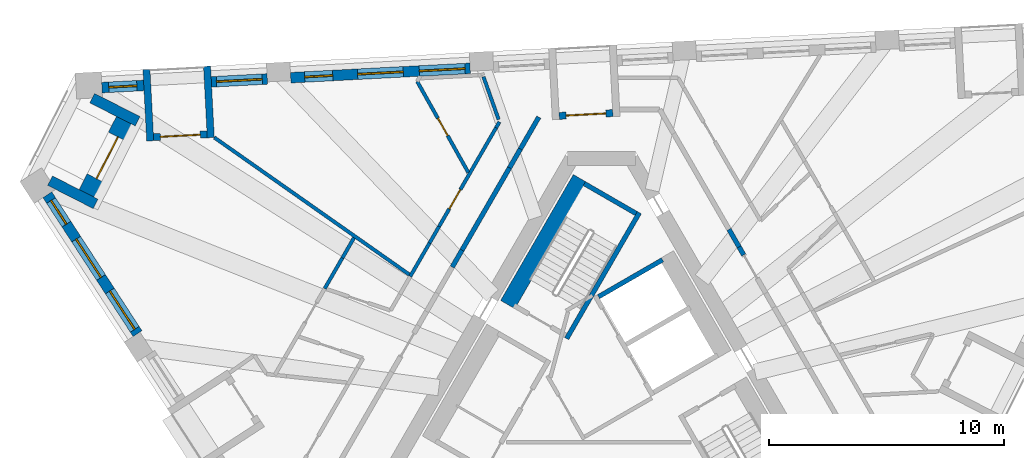
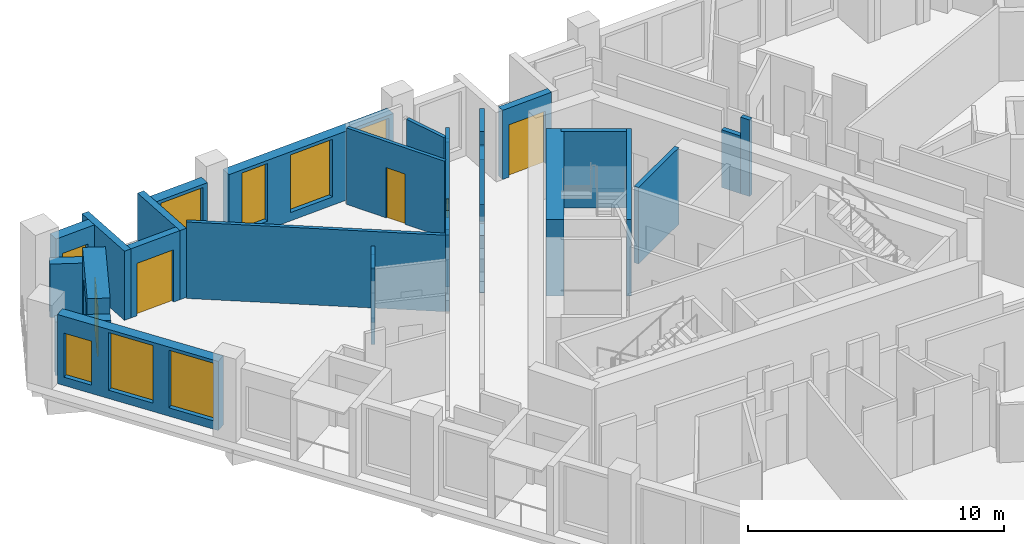
# One storey, part 7 of 13: 30 walls, 8 windows, 5 doors, 13 openings.
"""IFC4 building model written with IfcOpenShell, lengths in metres."""

from ifc_helpers import new_model, si_unit, direction, frame, frame_2d, origin, place, context, subcontext, project, spatial, rectangle, extrude, material, layer, layer_set, type_object, element, fill, save


model = new_model("IFC4")

# Units and contexts
model_context = context("Model", 3, precision=1e-05, world=origin(), true_north=direction((0.0, 1.0)))
body_context = subcontext(model_context, "Body", "Model", "MODEL_VIEW")
ifc_project = project(units=[si_unit("LENGTHUNIT", "METRE"), si_unit("AREAUNIT", "SQUARE_METRE"), si_unit("VOLUMEUNIT", "CUBIC_METRE"), si_unit("PLANEANGLEUNIT", "RADIAN"), si_unit("MASSUNIT", "GRAM", prefix="KILO")], contexts=[model_context])

# Site, building, storey
site_placement = place(None, origin())
site = spatial("IfcSite", under=ifc_project, at=site_placement, CompositionType="ELEMENT")
building_placement = place(site_placement, origin())
building = spatial("IfcBuilding", under=site, at=building_placement, Name="Tramontana Tower", CompositionType="ELEMENT")
storey_placement = place(building_placement, frame((0.0, 0.0, 290.39990234375)))
storey = spatial("IfcBuildingStorey", under=building, at=storey_placement, Name="L68", CompositionType="ELEMENT", Elevation=290.39990234375)

# Walls
ifc_material_1 = material(Name="Blockwork", Category="masonry")
ifc_layer_1 = layer(ifc_material_1, 0.199951171875)
ifc_layer_set_1 = layer_set([ifc_layer_1], Name="ENTRY WALL 200")
wall_type_1 = type_object("IfcWallType", Name="ENTRY WALL 200", PredefinedType="SOLIDWALL", material=ifc_layer_set_1)
wall_1_placement = place(storey_placement, frame((-6.36328125, 6.07861328125, 0.0), z_axis=(0.0, 0.0, 1.0), x_axis=(0.499950631041, 0.86605390509, 0.0)))
element("IfcWall", 1, at=wall_1_placement, inside=storey, type_object=wall_type_1, Name="Wall v71-ew3-8", PredefinedType="SOLIDWALL", context=body_context, shape_type="SweptSolid", body=[
    extrude(rectangle(XDim=0.83349609375, YDim=0.199951171875, at=frame_2d((0.416748046875, 0.0))), origin(), (0.0, 0.0, 1.0), 2.75),
])
wall_2_placement = place(storey_placement, frame((-5.946533203125, 6.800537109375, 0.0), z_axis=(0.0, 0.0, 1.0), x_axis=(0.500007556608, 0.866021040931, 0.0)))
element("IfcWall", 2, at=wall_2_placement, inside=storey, type_object=wall_type_1, Name="Wall v71-ew3-9", PredefinedType="SOLIDWALL", context=body_context, shape_type="SweptSolid", body=[
    extrude(rectangle(XDim=4.05224609375, YDim=0.199951171875, at=frame_2d((2.026123046875, 0.0))), origin(), (0.0, 0.0, 1.0), 3.650146484375),
])
wall_3_placement = place(storey_placement, frame((-3.92041015625, 10.309814453125, 0.0), z_axis=(0.0, 0.0, 1.0), x_axis=(0.500102178127, 0.865966403178, 0.0)))
element("IfcWall", 3, at=wall_3_placement, inside=storey, type_object=wall_type_1, Name="Wall v71-ew3-10", PredefinedType="SOLIDWALL", context=body_context, shape_type="SweptSolid", body=[
    extrude(rectangle(XDim=0.927490234375, YDim=0.199951171875, at=frame_2d((0.4638671875, 0.0))), origin(), (0.0, 0.0, 1.0), 2.9501953125),
])
wall_4_placement = place(storey_placement, frame((-3.45654296875, 11.113037109375, 0.0), z_axis=(0.0, 0.0, 1.0), x_axis=(0.500036592568, 0.866004276025, 0.0)))
element("IfcWall", 4, at=wall_4_placement, inside=storey, type_object=wall_type_1, Name="Wall v71-ew3-11", PredefinedType="SOLIDWALL", context=body_context, shape_type="SweptSolid", body=[
    extrude(rectangle(XDim=1.56982421875, YDim=0.199951171875, at=frame_2d((0.784912109375, 0.0))), origin(), (0.0, 0.0, 1.0), 3.650146484375),
])
wall_5_placement = place(storey_placement, frame((5.435546875, 7.685546875, 0.0), z_axis=(0.0, 0.0, 1.0), x_axis=(0.500056482814, -0.86599279096, 0.0)))
element("IfcWall", 5, at=wall_5_placement, inside=storey, type_object=wall_type_1, Name="Wall v71-ew5-2", PredefinedType="SOLIDWALL", context=body_context, shape_type="SweptSolid", body=[
    extrude(rectangle(XDim=0.86474609375, YDim=0.199951171875, at=frame_2d((0.432373046875, 0.0))), origin(), (0.0, 0.0, 1.0), 2.75),
])
wall_6_placement = place(storey_placement, frame((5.867919921875, 6.936767578125, 0.0), z_axis=(0.0, 0.0, 1.0), x_axis=(0.499526442893, -0.866298639529, 0.0)))
element("IfcWall", 6, at=wall_6_placement, inside=storey, type_object=wall_type_1, Name="Wall v71-ew5-3", PredefinedType="SOLIDWALL", context=body_context, shape_type="SweptSolid", body=[
    extrude(rectangle(XDim=0.3955078125, YDim=0.199951171875, at=frame_2d((0.19775390625, 0.0))), origin(), (0.0, 0.0, 1.0), 3.650146484375),
])

# Wall, openings, windows
ifc_material_2 = material(Name="Precast concrete 60 MPa", Category="concrete")
ifc_layer_2 = layer(ifc_material_2, 0.449951171875)
ifc_layer_set_2 = layer_set([ifc_layer_2], Name="Precast concrete 60 MPa, 450 mm")
wall_type_2 = type_object("IfcWallType", Name="EW1 Stone-faced precast wall 450", PredefinedType="SOLIDWALL", material=ifc_layer_set_2)
wall_7_placement = place(storey_placement, frame((-23.6259765625, 9.160888671875, 0.0), z_axis=(0.0, 0.0, 1.0), x_axis=(0.54463703186, -0.838671868806, 0.0)))
wall_7 = element("IfcWall", 7, at=wall_7_placement, inside=storey, type_object=wall_type_2, Name="External wall L68 face 0 bay 1", PredefinedType="SOLIDWALL", context=body_context, shape_type="SweptSolid", body=[
    extrude(rectangle(XDim=7.06005859375, YDim=0.449951171875, at=frame_2d((3.530029296875, 0.0))), origin(), (0.0, 0.0, 1.0), 3.300048828125),
])
opening_1_placement = place(wall_7_placement, frame((0.29345703125, 0.0, 0.39990234375)))
opening_1 = element("IfcOpeningElement", 8, at=opening_1_placement, cuts=wall_7, Name="Opening N3L", PredefinedType="OPENING", context=body_context, shape_type="SweptSolid", body=[
    extrude(rectangle(XDim=1.199951171875, YDim=2.10009765625, at=frame_2d((0.60009765625, 1.050048828125))), frame((0.0, 0.23486328125, 0.0), z_axis=(0.0, -1.0, 0.0), x_axis=(1.0, 0.0, 0.0)), (0.0, 0.0, 1.0), 0.469970703125),
])
opening_2_placement = place(wall_7_placement, frame((2.255126953125, 0.0, 0.39990234375)))
opening_2 = element("IfcOpeningElement", 9, at=opening_2_placement, cuts=wall_7, Name="Opening M3", PredefinedType="OPENING", context=body_context, shape_type="SweptSolid", body=[
    extrude(rectangle(XDim=1.949951171875, YDim=2.75, at=frame_2d((0.97509765625, 1.375))), frame((0.0, 0.23486328125, 0.0), z_axis=(0.0, -1.0, 0.0), x_axis=(1.0, 0.0, 0.0)), (0.0, 0.0, 1.0), 0.469970703125),
])
opening_3_placement = place(wall_7_placement, frame((4.891845703125, 0.0, 0.39990234375)))
opening_3 = element("IfcOpeningElement", 10, at=opening_3_placement, cuts=wall_7, Name="Opening M3", PredefinedType="OPENING", context=body_context, shape_type="SweptSolid", body=[
    extrude(rectangle(XDim=1.949951171875, YDim=2.75, at=frame_2d((0.97509765625, 1.375))), frame((0.0, 0.23486328125, 0.0), z_axis=(0.0, -1.0, 0.0), x_axis=(1.0, 0.0, 0.0)), (0.0, 0.0, 1.0), 0.469970703125),
])
ifc_material_3 = material(Name="Aluminum frame, double glazing unit", Category="aluminium")
window_type_1 = type_object("IfcWindowType", Name="M3 Window 1.95 x 2.75", PartitioningType="SINGLE_PANEL", PredefinedType="WINDOW", material=ifc_material_3)
window_1_placement = place(opening_2_placement, origin())
window_1 = element("IfcWindow", 11, at=window_1_placement, inside=storey, type_object=window_type_1, Name="Window M3 L68 face 0 module 2", OverallHeight=2.75, OverallWidth=1.949951171875, PartitioningType="SINGLE_PANEL", PredefinedType="WINDOW", context=body_context, shape_type="SweptSolid", body=[
    extrude(rectangle(XDim=1.949951171875, YDim=2.75, at=frame_2d((0.97509765625, 1.375))), frame((0.0, 0.030029296875, 0.0), z_axis=(0.0, -1.0, 0.0), x_axis=(1.0, 0.0, 0.0)), (0.0, 0.0, 1.0), 0.06005859375),
])
fill(opening_2, window_1)
window_2_placement = place(opening_3_placement, origin())
window_2 = element("IfcWindow", 12, at=window_2_placement, inside=storey, type_object=window_type_1, Name="Window M3 L68 face 0 module 3", OverallHeight=2.75, OverallWidth=1.949951171875, PartitioningType="SINGLE_PANEL", PredefinedType="WINDOW", context=body_context, shape_type="SweptSolid", body=[
    extrude(rectangle(XDim=1.949951171875, YDim=2.75, at=frame_2d((0.97509765625, 1.375))), frame((0.0, 0.030029296875, 0.0), z_axis=(0.0, -1.0, 0.0), x_axis=(1.0, 0.0, 0.0)), (0.0, 0.0, 1.0), 0.06005859375),
])
fill(opening_3, window_2)
ifc_material_4 = material(Name="Aluminum frame, double glazing unit", Category="aluminium")
window_type_2 = type_object("IfcWindowType", Name="N3L Window 1.2 x 2.1", PartitioningType="SINGLE_PANEL", PredefinedType="WINDOW", material=ifc_material_4)
window_3_placement = place(opening_1_placement, origin())
window_3 = element("IfcWindow", 13, at=window_3_placement, inside=storey, type_object=window_type_2, Name="Window N3L L68 face 0 module 1", OverallHeight=2.10009765625, OverallWidth=1.199951171875, PartitioningType="SINGLE_PANEL", PredefinedType="WINDOW", context=body_context, shape_type="SweptSolid", body=[
    extrude(rectangle(XDim=1.199951171875, YDim=2.10009765625, at=frame_2d((0.60009765625, 1.050048828125))), frame((0.0, 0.030029296875, 0.0), z_axis=(0.0, -1.0, 0.0), x_axis=(1.0, 0.0, 0.0)), (0.0, 0.0, 1.0), 0.06005859375),
])
fill(opening_1, window_3)

wall_8_placement = place(storey_placement, frame((-5.599365234375, 14.552001953125, 0.0), z_axis=(0.0, 0.0, 1.0), x_axis=(-0.998628023429, -0.052364786088, 0.0)))
wall_8 = element("IfcWall", 14, at=wall_8_placement, inside=storey, type_object=wall_type_2, Name="External wall L68 face 2 bay 4", PredefinedType="SOLIDWALL", context=body_context, shape_type="SweptSolid", body=[
    extrude(rectangle(XDim=7.66015625, YDim=0.449951171875, at=frame_2d((3.830078125, 0.0))), origin(), (0.0, 0.0, 1.0), 3.300048828125),
])
opening_4_placement = place(wall_8_placement, frame((0.21826171875, 0.0, 0.39990234375)))
opening_4 = element("IfcOpeningElement", 15, at=opening_4_placement, cuts=wall_8, Name="Opening M3", PredefinedType="OPENING", context=body_context, shape_type="SweptSolid", body=[
    extrude(rectangle(XDim=1.949951171875, YDim=2.75, at=frame_2d((0.97509765625, 1.375))), frame((0.0, 0.23486328125, 0.0), z_axis=(0.0, -1.0, 0.0), x_axis=(1.0, 0.0, 0.0)), (0.0, 0.0, 1.0), 0.469970703125),
])
opening_5_placement = place(wall_8_placement, frame((2.855224609375, 0.0, 0.39990234375)))
opening_5 = element("IfcOpeningElement", 16, at=opening_5_placement, cuts=wall_8, Name="Opening M3", PredefinedType="OPENING", context=body_context, shape_type="SweptSolid", body=[
    extrude(rectangle(XDim=1.949951171875, YDim=2.75, at=frame_2d((0.97509765625, 1.375))), frame((0.0, 0.23486328125, 0.0), z_axis=(0.0, -1.0, 0.0), x_axis=(1.0, 0.0, 0.0)), (0.0, 0.0, 1.0), 0.469970703125),
])
opening_6_placement = place(wall_8_placement, frame((5.866943359375, 0.0, 0.39990234375)))
opening_6 = element("IfcOpeningElement", 17, at=opening_6_placement, cuts=wall_8, Name="Opening N3", PredefinedType="OPENING", context=body_context, shape_type="SweptSolid", body=[
    extrude(rectangle(XDim=1.199951171875, YDim=2.75, at=frame_2d((0.60009765625, 1.375))), frame((0.0, 0.23486328125, 0.0), z_axis=(0.0, -1.0, 0.0), x_axis=(1.0, 0.0, 0.0)), (0.0, 0.0, 1.0), 0.469970703125),
])
window_4_placement = place(opening_4_placement, origin())
window_4 = element("IfcWindow", 18, at=window_4_placement, inside=storey, type_object=window_type_1, Name="Window M3 L68 face 2 module 10", OverallHeight=2.75, OverallWidth=1.949951171875, PartitioningType="SINGLE_PANEL", PredefinedType="WINDOW", context=body_context, shape_type="SweptSolid", body=[
    extrude(rectangle(XDim=1.949951171875, YDim=2.75, at=frame_2d((0.97509765625, 1.375))), frame((0.0, 0.030029296875, 0.0), z_axis=(0.0, -1.0, 0.0), x_axis=(1.0, 0.0, 0.0)), (0.0, 0.0, 1.0), 0.06005859375),
])
fill(opening_4, window_4)
window_5_placement = place(opening_5_placement, origin())
window_5 = element("IfcWindow", 19, at=window_5_placement, inside=storey, type_object=window_type_1, Name="Window M3 L68 face 2 module 11", OverallHeight=2.75, OverallWidth=1.949951171875, PartitioningType="SINGLE_PANEL", PredefinedType="WINDOW", context=body_context, shape_type="SweptSolid", body=[
    extrude(rectangle(XDim=1.949951171875, YDim=2.75, at=frame_2d((0.97509765625, 1.375))), frame((0.0, 0.030029296875, 0.0), z_axis=(0.0, -1.0, 0.0), x_axis=(1.0, 0.0, 0.0)), (0.0, 0.0, 1.0), 0.06005859375),
])
fill(opening_5, window_5)
ifc_material_5 = material(Name="Aluminum frame, double glazing unit", Category="aluminium")
window_type_3 = type_object("IfcWindowType", Name="N3 Window 1.2 x 2.75", PartitioningType="SINGLE_PANEL", PredefinedType="WINDOW", material=ifc_material_5)
window_6_placement = place(opening_6_placement, origin())
window_6 = element("IfcWindow", 20, at=window_6_placement, inside=storey, type_object=window_type_3, Name="Window N3 L68 face 2 module 12", OverallHeight=2.75, OverallWidth=1.199951171875, PartitioningType="SINGLE_PANEL", PredefinedType="WINDOW", context=body_context, shape_type="SweptSolid", body=[
    extrude(rectangle(XDim=1.199951171875, YDim=2.75, at=frame_2d((0.60009765625, 1.375))), frame((0.0, 0.030029296875, 0.0), z_axis=(0.0, -1.0, 0.0), x_axis=(1.0, 0.0, 0.0)), (0.0, 0.0, 1.0), 0.06005859375),
])
fill(opening_6, window_6)

# Wall, opening, window
wall_9_placement = place(storey_placement, frame((-14.247802734375, 14.0986328125, 0.0), z_axis=(0.0, 0.0, 1.0), x_axis=(-0.998627701279, -0.052370929331, 0.0)))
wall_9 = element("IfcWall", 21, at=wall_9_placement, inside=storey, type_object=wall_type_2, Name="External wall L68 face 2 bay 5", PredefinedType="SOLIDWALL", context=body_context, shape_type="SweptSolid", body=[
    extrude(rectangle(XDim=2.38671875, YDim=0.449951171875, at=frame_2d((1.193359375, 0.0))), origin(), (0.0, 0.0, 1.0), 3.300048828125),
])
opening_7_placement = place(wall_9_placement, frame((0.21826171875, 0.0, 0.39990234375)))
opening_7 = element("IfcOpeningElement", 22, at=opening_7_placement, cuts=wall_9, Name="Opening M3", PredefinedType="OPENING", context=body_context, shape_type="SweptSolid", body=[
    extrude(rectangle(XDim=1.949951171875, YDim=2.75, at=frame_2d((0.97509765625, 1.375))), frame((0.0, 0.23486328125, 0.0), z_axis=(0.0, -1.0, 0.0), x_axis=(1.0, 0.0, 0.0)), (0.0, 0.0, 1.0), 0.469970703125),
])
window_7_placement = place(opening_7_placement, origin())
window_7 = element("IfcWindow", 23, at=window_7_placement, inside=storey, type_object=window_type_1, Name="Window M3 L68 face 2 module 13", OverallHeight=2.75, OverallWidth=1.949951171875, PartitioningType="SINGLE_PANEL", PredefinedType="WINDOW", context=body_context, shape_type="SweptSolid", body=[
    extrude(rectangle(XDim=1.949951171875, YDim=2.75, at=frame_2d((0.97509765625, 1.375))), frame((0.0, 0.030029296875, 0.0), z_axis=(0.0, -1.0, 0.0), x_axis=(1.0, 0.0, 0.0)), (0.0, 0.0, 1.0), 0.06005859375),
])
fill(opening_7, window_7)

wall_10_placement = place(storey_placement, frame((-19.51416015625, 13.82275390625, 0.0), z_axis=(0.0, 0.0, 1.0), x_axis=(-0.998629506551, -0.052336494391, 0.0)))
wall_10 = element("IfcWall", 24, at=wall_10_placement, inside=storey, type_object=wall_type_2, Name="External wall L68 face 2 bay 5", PredefinedType="SOLIDWALL", context=body_context, shape_type="SweptSolid", body=[
    extrude(rectangle(XDim=1.78662109375, YDim=0.449951171875, at=frame_2d((0.893310546875, 0.0))), origin(), (0.0, 0.0, 1.0), 3.300048828125),
])
opening_8_placement = place(wall_10_placement, frame((0.29345703125, 0.0, 0.39990234375)))
opening_8 = element("IfcOpeningElement", 25, at=opening_8_placement, cuts=wall_10, Name="Opening N3L", PredefinedType="OPENING", context=body_context, shape_type="SweptSolid", body=[
    extrude(rectangle(XDim=1.199951171875, YDim=2.10009765625, at=frame_2d((0.60009765625, 1.050048828125))), frame((0.0, 0.23486328125, 0.0), z_axis=(0.0, -1.0, 0.0), x_axis=(1.0, 0.0, 0.0)), (0.0, 0.0, 1.0), 0.469970703125),
])
window_8_placement = place(opening_8_placement, origin())
window_8 = element("IfcWindow", 26, at=window_8_placement, inside=storey, type_object=window_type_2, Name="Window N3L L68 face 2 module 15", OverallHeight=2.10009765625, OverallWidth=1.199951171875, PartitioningType="SINGLE_PANEL", PredefinedType="WINDOW", context=body_context, shape_type="SweptSolid", body=[
    extrude(rectangle(XDim=1.199951171875, YDim=2.10009765625, at=frame_2d((0.60009765625, 1.050048828125))), frame((0.0, 0.030029296875, 0.0), z_axis=(0.0, -1.0, 0.0), x_axis=(1.0, 0.0, 0.0)), (0.0, 0.0, 1.0), 0.06005859375),
])
fill(opening_8, window_8)

# Walls
wall_11_placement = place(storey_placement, frame((-23.509765625, 9.76220703125, 0.0), z_axis=(0.0, 0.0, 1.0), x_axis=(0.891041206664, -0.45392242512, 0.0)))
element("IfcWall", 27, at=wall_11_placement, inside=storey, type_object=wall_type_2, Name="Corner loggia side wall L68 K70l", PredefinedType="SOLIDWALL", context=body_context, shape_type="SweptSolid", body=[
    extrude(rectangle(XDim=2.179443359375, YDim=0.449951171875, at=frame_2d((1.08984375, 0.0))), origin(), (0.0, 0.0, 1.0), 2.550048828125),
])
wall_12_placement = place(storey_placement, frame((-21.71630859375, 13.28173828125, 0.0), z_axis=(0.0, 0.0, 1.0), x_axis=(0.890972801346, -0.454056678468, 0.0)))
element("IfcWall", 28, at=wall_12_placement, inside=storey, type_object=wall_type_2, Name="Corner loggia side wall L68 K70r", PredefinedType="SOLIDWALL", context=body_context, shape_type="SweptSolid", body=[
    extrude(rectangle(XDim=2.17919921875, YDim=0.449951171875, at=frame_2d((1.089599609375, 0.0))), origin(), (0.0, 0.0, 1.0), 2.550048828125),
])

# Wall, opening, door
ifc_material_6 = material(Name="Precast concrete 60 MPa", Category="concrete")
ifc_layer_3 = layer(ifc_material_6, 0.89990234375)
ifc_layer_set_3 = layer_set([ifc_layer_3], Name="EW2 Stone-faced corner loggia wall 900")
wall_type_3 = type_object("IfcWallType", Name="EW2 Stone-faced corner loggia wall 900", PredefinedType="SOLIDWALL", material=ifc_layer_set_3)
wall_13_placement = place(storey_placement, frame((-21.86669921875, 9.177734375, 0.0), z_axis=(0.0, 0.0, 1.0), x_axis=(0.453981164527, 0.891011280655, 0.0)))
wall_13 = element("IfcWall", 29, at=wall_13_placement, inside=storey, type_object=wall_type_3, Name="Corner loggia wall L68 K70", PredefinedType="SOLIDWALL", context=body_context, shape_type="SweptSolid", body=[
    extrude(rectangle(XDim=3.499755859375, YDim=0.89990234375, at=frame_2d((1.75, 0.0))), origin(), (0.0, 0.0, 1.0), 3.300048828125),
])
opening_9_placement = place(wall_13_placement, frame((0.75, 0.0, 0.0)))
opening_9 = element("IfcOpeningElement", 30, at=opening_9_placement, cuts=wall_13, Name="Opening BD-70C", PredefinedType="OPENING", context=body_context, shape_type="SweptSolid", body=[
    extrude(rectangle(XDim=2.0, YDim=2.39990234375, at=frame_2d((1.0, 1.199951171875))), frame((0.0, 0.4599609375, 0.0), z_axis=(0.0, -1.0, 0.0), x_axis=(1.0, 0.0, 0.0)), (0.0, 0.0, 1.0), 0.919921875),
])
ifc_material_7 = material(Name="Aluminum frame, double glazing unit", Category="aluminium")
door_type_1 = type_object("IfcDoorType", Name="BC1 Sliding door 2 x 2.4", OperationType="SLIDING_TO_LEFT", PredefinedType="DOOR", material=ifc_material_7)
door_1_placement = place(opening_9_placement, origin())
door_1 = element("IfcDoor", 31, at=door_1_placement, inside=storey, type_object=door_type_1, Name="Corner loggia door L68 K70", OperationType="SLIDING_TO_LEFT", OverallHeight=2.39990234375, OverallWidth=2.0, PredefinedType="DOOR", context=body_context, shape_type="SweptSolid", body=[
    extrude(rectangle(XDim=2.0, YDim=2.39990234375, at=frame_2d((1.0, 1.199951171875))), frame((0.0, 0.02490234375, 0.0), z_axis=(0.0, -1.0, 0.0), x_axis=(1.0, 0.0, 0.0)), (0.0, 0.0, 1.0), 0.050048828125),
])
fill(opening_9, door_1)

ifc_material_8 = material(Name="Precast concrete 60 MPa", Category="concrete")
ifc_layer_4 = layer(ifc_material_8, 0.300048828125)
ifc_layer_set_4 = layer_set([ifc_layer_4], Name="LW1 Stone-faced loggia wall 300")
wall_type_4 = type_object("IfcWallType", Name="LW1 Stone-faced loggia wall 300", PredefinedType="SOLIDWALL", material=ifc_layer_set_4)
wall_14_placement = place(storey_placement, frame((0.482421875, 12.642578125, 0.0), z_axis=(0.0, 0.0, 1.0), x_axis=(-0.998630775221, -0.052312281362, 0.0)))
wall_14 = element("IfcWall", 32, at=wall_14_placement, inside=storey, type_object=wall_type_4, Name="Loggia wall L68 G7S2.7", PredefinedType="SOLIDWALL", context=body_context, shape_type="SweptSolid", body=[
    extrude(rectangle(XDim=2.286865234375, YDim=0.300048828125, at=frame_2d((1.1435546875, 0.0))), origin(), (0.0, 0.0, 1.0), 3.300048828125),
])
opening_10_placement = place(wall_14_placement, frame((0.29345703125, 0.0, 0.0)))
opening_10 = element("IfcOpeningElement", 33, at=opening_10_placement, cuts=wall_14, Name="Opening BD-7S2-07", PredefinedType="OPENING", context=body_context, shape_type="SweptSolid", body=[
    extrude(rectangle(XDim=1.699951171875, YDim=2.5, at=frame_2d((0.85009765625, 1.25))), frame((0.0, 0.159912109375, 0.0), z_axis=(0.0, -1.0, 0.0), x_axis=(1.0, 0.0, 0.0)), (0.0, 0.0, 1.0), 0.320068359375),
])
ifc_material_9 = material(Name="Aluminum frame, double glazing unit", Category="aluminium")
door_type_2 = type_object("IfcDoorType", Name="BD3 Sliding door 1.7 x 2.5", OperationType="SLIDING_TO_LEFT", PredefinedType="DOOR", material=ifc_material_9)
door_2_placement = place(opening_10_placement, origin())
door_2 = element("IfcDoor", 34, at=door_2_placement, inside=storey, type_object=door_type_2, Name="Loggia door L68 G7S2.7", OperationType="SLIDING_TO_LEFT", OverallHeight=2.5, OverallWidth=1.699951171875, PredefinedType="DOOR", context=body_context, shape_type="SweptSolid", body=[
    extrude(rectangle(XDim=1.699951171875, YDim=2.5, at=frame_2d((0.85009765625, 1.25))), frame((0.0, 0.02490234375, 0.0), z_axis=(0.0, -1.0, 0.0), x_axis=(1.0, 0.0, 0.0)), (0.0, 0.0, 1.0), 0.050048828125),
])
fill(opening_10, door_2)

wall_15_placement = place(storey_placement, frame((-16.814453125, 11.736083984375, 0.0), z_axis=(0.0, 0.0, 1.0), x_axis=(-0.998630483018, -0.052317859155, 0.0)))
wall_15 = element("IfcWall", 35, at=wall_15_placement, inside=storey, type_object=wall_type_4, Name="Loggia wall L68 G7S2.13", PredefinedType="SOLIDWALL", context=body_context, shape_type="SweptSolid", body=[
    extrude(rectangle(XDim=2.28662109375, YDim=0.300048828125, at=frame_2d((1.143310546875, 0.0))), origin(), (0.0, 0.0, 1.0), 3.300048828125),
])
opening_11_placement = place(wall_15_placement, frame((0.29345703125, 0.0, 0.0)))
opening_11 = element("IfcOpeningElement", 36, at=opening_11_placement, cuts=wall_15, Name="Opening BD-7S2-13", PredefinedType="OPENING", context=body_context, shape_type="SweptSolid", body=[
    extrude(rectangle(XDim=1.699951171875, YDim=2.5, at=frame_2d((0.85009765625, 1.25))), frame((0.0, 0.159912109375, 0.0), z_axis=(0.0, -1.0, 0.0), x_axis=(1.0, 0.0, 0.0)), (0.0, 0.0, 1.0), 0.320068359375),
])
door_3_placement = place(opening_11_placement, origin())
door_3 = element("IfcDoor", 37, at=door_3_placement, inside=storey, type_object=door_type_2, Name="Loggia door L68 G7S2.13", OperationType="SLIDING_TO_LEFT", OverallHeight=2.5, OverallWidth=1.699951171875, PredefinedType="DOOR", context=body_context, shape_type="SweptSolid", body=[
    extrude(rectangle(XDim=1.699951171875, YDim=2.5, at=frame_2d((0.85009765625, 1.25))), frame((0.0, 0.02490234375, 0.0), z_axis=(0.0, -1.0, 0.0), x_axis=(1.0, 0.0, 0.0)), (0.0, 0.0, 1.0), 0.050048828125),
])
fill(opening_11, door_3)

# Walls
wall_16_placement = place(storey_placement, frame((-16.81640625, 14.639892578125, 0.0), z_axis=(0.0, 0.0, 1.0), x_axis=(0.052352956549, -0.998628643661, 0.0)))
element("IfcWall", 38, at=wall_16_placement, inside=storey, type_object=wall_type_4, Name="Loggia return L68 G7S2.13a", PredefinedType="SOLIDWALL", context=body_context, shape_type="SweptSolid", body=[
    extrude(rectangle(XDim=3.0498046875, YDim=0.300048828125, at=frame_2d((1.52490234375, 0.0))), origin(), (0.0, 0.0, 1.0), 3.300048828125),
])
wall_17_placement = place(storey_placement, frame((-19.399658203125, 14.504638671875, 0.0), z_axis=(0.0, 0.0, 1.0), x_axis=(0.052348771756, -0.99862886304, 0.0)))
element("IfcWall", 39, at=wall_17_placement, inside=storey, type_object=wall_type_4, Name="Loggia return L68 G7S2.13b", PredefinedType="SOLIDWALL", context=body_context, shape_type="SweptSolid", body=[
    extrude(rectangle(XDim=3.050048828125, YDim=0.300048828125, at=frame_2d((1.52490234375, 0.0))), origin(), (0.0, 0.0, 1.0), 3.300048828125),
])
ifc_material_10 = material(Name="Gypsum board partition")
ifc_layer_5 = layer(ifc_material_10, 0.14990234375)
ifc_layer_set_5 = layer_set([ifc_layer_5], Name="PARTITION 150")
wall_type_5 = type_object("IfcWallType", Name="PARTITION 150", PredefinedType="PARTITIONING", material=ifc_layer_set_5)
wall_18_placement = place(storey_placement, frame((-16.5068359375, 11.60205078125, 0.0), z_axis=(0.0, 0.0, 1.0), x_axis=(0.818128766515, -0.575035061018, 0.0)))
element("IfcWall", 40, at=wall_18_placement, inside=storey, type_object=wall_type_5, Name="Wall v71-pw00", PredefinedType="PARTITIONING", context=body_context, shape_type="SweptSolid", body=[
    extrude(rectangle(XDim=10.16162109375, YDim=0.14990234375, at=frame_2d((5.080810546875, 0.0))), origin(), (0.0, 0.0, 1.0), 3.650146484375),
])
wall_19_placement = place(storey_placement, frame((-11.7998046875, 5.162109375, 0.0), z_axis=(0.0, 0.0, 1.0), x_axis=(0.500035089595, 0.866005143849, 0.0)))
element("IfcWall", 41, at=wall_19_placement, inside=storey, type_object=wall_type_5, Name="Wall v71-pw04-3", PredefinedType="PARTITIONING", context=body_context, shape_type="SweptSolid", body=[
    extrude(rectangle(XDim=1.509765625, YDim=0.14990234375, at=frame_2d((0.7548828125, 0.0))), origin(), (0.0, 0.0, 1.0), 3.650146484375),
])
wall_20_placement = place(storey_placement, frame((-11.044921875, 6.469482421875, 0.0), z_axis=(0.0, 0.0, 1.0), x_axis=(0.499836639736, 0.866119699335, 0.0)))
element("IfcWall", 42, at=wall_20_placement, inside=storey, type_object=wall_type_5, Name="Wall v71-pw04-4", PredefinedType="PARTITIONING", context=body_context, shape_type="SweptSolid", body=[
    extrude(rectangle(XDim=0.987060546875, YDim=0.14990234375, at=frame_2d((0.49365234375, 0.0))), origin(), (0.0, 0.0, 1.0), 2.550048828125),
])
wall_21_placement = place(storey_placement, frame((-8.154296875, 5.67626953125, 0.0), z_axis=(0.0, 0.0, 1.0), x_axis=(0.499922922324, 0.866069900028, 0.0)))
element("IfcWall", 43, at=wall_21_placement, inside=storey, type_object=wall_type_5, Name="Wall v71-pw10-2", PredefinedType="PARTITIONING", context=body_context, shape_type="SweptSolid", body=[
    extrude(rectangle(XDim=1.651611328125, YDim=0.14990234375, at=frame_2d((0.82568359375, 0.0))), origin(), (0.0, 0.0, 1.0), 3.650146484375),
])
wall_22_placement = place(storey_placement, frame((-7.32861328125, 7.106689453125, 0.0), z_axis=(0.0, 0.0, 1.0), x_axis=(0.500106313205, 0.865964015126, 0.0)))
element("IfcWall", 44, at=wall_22_placement, inside=storey, type_object=wall_type_5, Name="Wall v71-pw10-3", PredefinedType="PARTITIONING", context=body_context, shape_type="SweptSolid", body=[
    extrude(rectangle(XDim=0.807373046875, YDim=0.14990234375, at=frame_2d((0.40380859375, 0.0))), origin(), (0.0, 0.0, 1.0), 2.75),
])

# Wall, opening, door
wall_23_placement = place(storey_placement, frame((-6.9248046875, 7.805908203125, 0.0), z_axis=(0.0, 0.0, 1.0), x_axis=(0.500012305324, 0.866018299186, 0.0)))
wall_23 = element("IfcWall", 45, at=wall_23_placement, inside=storey, type_object=wall_type_5, Name="Wall v71-pw10-4", PredefinedType="PARTITIONING", context=body_context, shape_type="SweptSolid", body=[
    extrude(rectangle(XDim=4.86083984375, YDim=0.14990234375, at=frame_2d((2.430419921875, 0.0))), origin(), (0.0, 0.0, 1.0), 3.650146484375),
])
opening_12_placement = place(wall_23_placement, frame((0.872314453125, 0.0, 0.0)))
opening_12 = element("IfcOpeningElement", 46, at=opening_12_placement, cuts=wall_23, Name="Opening B7B-04", PredefinedType="OPENING", context=body_context, shape_type="SweptSolid", body=[
    extrude(rectangle(XDim=0.949951171875, YDim=2.39990234375, at=frame_2d((0.47509765625, 1.199951171875))), frame((0.0, 0.0849609375, 0.0), z_axis=(0.0, -1.0, 0.0), x_axis=(1.0, 0.0, 0.0)), (0.0, 0.0, 1.0), 0.169921875),
])
ifc_material_11 = material(Name="Painted timber", Category="wood")
door_type_3 = type_object("IfcDoorType", Name="DOOR ROOM 950", OperationType="SINGLE_SWING_LEFT", PredefinedType="DOOR", material=ifc_material_11)
door_4_placement = place(opening_12_placement, origin())
door_4 = element("IfcDoor", 47, at=door_4_placement, inside=storey, type_object=door_type_3, Name="Door B7B-04", OperationType="SINGLE_SWING_RIGHT", OverallHeight=2.39990234375, OverallWidth=0.949951171875, PredefinedType="DOOR", context=body_context, shape_type="SweptSolid", body=[
    extrude(rectangle(XDim=0.949951171875, YDim=2.39990234375, at=frame_2d((0.47509765625, 1.199951171875))), frame((0.0, 0.02490234375, 0.0), z_axis=(0.0, -1.0, 0.0), x_axis=(1.0, 0.0, 0.0)), (0.0, 0.0, 1.0), 0.050048828125),
])
fill(opening_12, door_4)

# Wall
wall_24_placement = place(storey_placement, frame((-4.494384765625, 12.015380859375, 0.0), z_axis=(0.0, 0.0, 1.0), x_axis=(0.500109828528, 0.865961984968, 0.0)))
element("IfcWall", 48, at=wall_24_placement, inside=storey, type_object=wall_type_5, Name="Wall v71-pw10-5", PredefinedType="PARTITIONING", context=body_context, shape_type="SweptSolid", body=[
    extrude(rectangle(XDim=0.291015625, YDim=0.14990234375, at=frame_2d((0.1455078125, 0.0))), origin(), (0.0, 0.0, 1.0), 2.9501953125),
])

# Wall, opening, door
wall_25_placement = place(storey_placement, frame((-7.8564453125, 13.9921875, 0.0), z_axis=(0.0, 0.0, 1.0), x_axis=(0.489580886803, -0.871957886183, 0.0)))
wall_25 = element("IfcWall", 49, at=wall_25_placement, inside=storey, type_object=wall_type_5, Name="Wall v71-pw14", PredefinedType="PARTITIONING", context=body_context, shape_type="SweptSolid", body=[
    extrude(rectangle(XDim=4.44775390625, YDim=0.14990234375, at=frame_2d((2.223876953125, 0.0))), origin(), (0.0, 0.0, 1.0), 3.650146484375),
])
opening_13_placement = place(wall_25_placement, frame((1.798828125, 0.0, 0.0)))
opening_13 = element("IfcOpeningElement", 50, at=opening_13_placement, cuts=wall_25, Name="Opening B7B-06", PredefinedType="OPENING", context=body_context, shape_type="SweptSolid", body=[
    extrude(rectangle(XDim=0.85009765625, YDim=2.39990234375, at=frame_2d((0.425048828125, 1.199951171875))), frame((0.0, 0.0849609375, 0.0), z_axis=(0.0, -1.0, 0.0), x_axis=(1.0, 0.0, 0.0)), (0.0, 0.0, 1.0), 0.169921875),
])
ifc_material_12 = material(Name="Painted timber", Category="wood")
door_type_4 = type_object("IfcDoorType", Name="DOOR BATH 850", OperationType="SINGLE_SWING_LEFT", PredefinedType="DOOR", material=ifc_material_12)
door_5_placement = place(opening_13_placement, origin())
door_5 = element("IfcDoor", 51, at=door_5_placement, inside=storey, type_object=door_type_4, Name="Door B7B-06", OperationType="SINGLE_SWING_RIGHT", OverallHeight=2.39990234375, OverallWidth=0.85009765625, PredefinedType="DOOR", context=body_context, shape_type="SweptSolid", body=[
    extrude(rectangle(XDim=0.85009765625, YDim=2.39990234375, at=frame_2d((0.425048828125, 1.199951171875))), frame((0.0, 0.02490234375, 0.0), z_axis=(0.0, -1.0, 0.0), x_axis=(1.0, 0.0, 0.0)), (0.0, 0.0, 1.0), 0.050048828125),
])
fill(opening_13, door_5)

# Walls
wall_26_placement = place(storey_placement, frame((-5.030517578125, 14.190185546875, 0.0), z_axis=(0.0, 0.0, 1.0), x_axis=(0.334134760433, -0.942525310997, 0.0)))
element("IfcWall", 52, at=wall_26_placement, inside=storey, type_object=wall_type_5, Name="Wall v71-pw17-0", PredefinedType="PARTITIONING", context=body_context, shape_type="SweptSolid", body=[
    extrude(rectangle(XDim=1.9326171875, YDim=0.14990234375, at=frame_2d((0.96630859375, 0.0))), origin(), (0.0, 0.0, 1.0), 2.9501953125),
])
ifc_material_13 = material(Name="Concrete 70 MPa", Category="concrete")
ifc_layer_6 = layer(ifc_material_13, 0.699951171875)
ifc_layer_set_6 = layer_set([ifc_layer_6], Name="Concrete 70 MPa, 700 mm")
wall_type_6 = type_object("IfcWallType", Name="RC SHAFT BACK WALL 700", PredefinedType="SOLIDWALL", material=ifc_layer_set_6)
wall_27_placement = place(storey_placement, frame((-0.896240234375, 9.847412109375, 0.0), z_axis=(0.0, 0.0, 1.0), x_axis=(-0.500009909098, -0.866019682689, 0.0)))
element("IfcWall", 53, at=wall_27_placement, inside=storey, type_object=wall_type_6, Name="Wall st1-back", PredefinedType="SOLIDWALL", context=body_context, shape_type="SweptSolid", body=[
    extrude(rectangle(XDim=6.199951171875, YDim=0.699951171875, at=frame_2d((3.10009765625, 0.0))), origin(), (0.0, 0.0, 1.0), 3.650146484375),
])
ifc_material_14 = material(Name="Concrete 70 MPa", Category="concrete")
ifc_layer_7 = layer(ifc_material_14, 0.199951171875)
ifc_layer_set_7 = layer_set([ifc_layer_7], Name="Concrete 70 MPa, 200 mm")
wall_type_7 = type_object("IfcWallType", Name="RC STAIR AND SHAFT WALL 200", PredefinedType="SOLIDWALL", material=ifc_layer_set_7)
wall_28_placement = place(storey_placement, frame((1.615234375, 8.3974609375, 0.0), z_axis=(0.0, 0.0, 1.0), x_axis=(-0.500009909098, -0.866019682689, 0.0)))
element("IfcWall", 54, at=wall_28_placement, inside=storey, type_object=wall_type_7, Name="Wall st1-front", PredefinedType="SOLIDWALL", context=body_context, shape_type="SweptSolid", body=[
    extrude(rectangle(XDim=6.199951171875, YDim=0.199951171875, at=frame_2d((3.10009765625, 0.0))), origin(), (0.0, 0.0, 1.0), 3.650146484375),
])
wall_29_placement = place(storey_placement, frame((1.478515625, 8.36083984375, 0.0), z_axis=(0.0, 0.0, 1.0), x_axis=(-0.865989465428, 0.500062241894, 0.0)))
element("IfcWall", 55, at=wall_29_placement, inside=storey, type_object=wall_type_7, Name="Wall st1-far", PredefinedType="SOLIDWALL", context=body_context, shape_type="SweptSolid", body=[
    extrude(rectangle(XDim=2.550048828125, YDim=0.199951171875, at=frame_2d((1.27490234375, 0.0))), origin(), (0.0, 0.0, 1.0), 3.650146484375),
])
wall_30_placement = place(storey_placement, frame((-0.123046875, 4.813232421875, 0.0), z_axis=(0.0, 0.0, 1.0), x_axis=(0.866016494683, 0.500015430699, 0.0)))
element("IfcWall", 56, at=wall_30_placement, inside=storey, type_object=wall_type_7, Name="Wall row2-side2", PredefinedType="SOLIDWALL", context=body_context, shape_type="SweptSolid", body=[
    extrude(rectangle(XDim=3.14990234375, YDim=0.199951171875, at=frame_2d((1.574951171875, 0.0))), origin(), (0.0, 0.0, 1.0), 3.650146484375),
])

save(model, "model.ifc")
